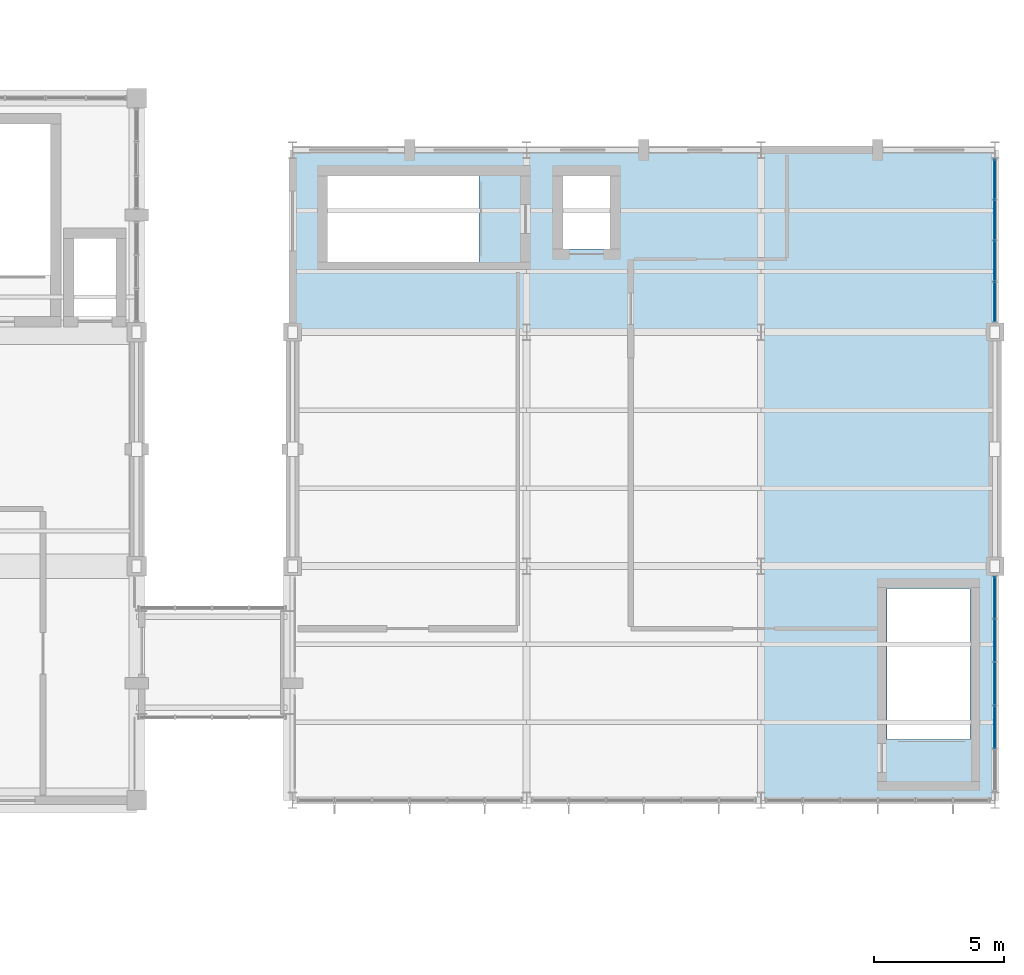
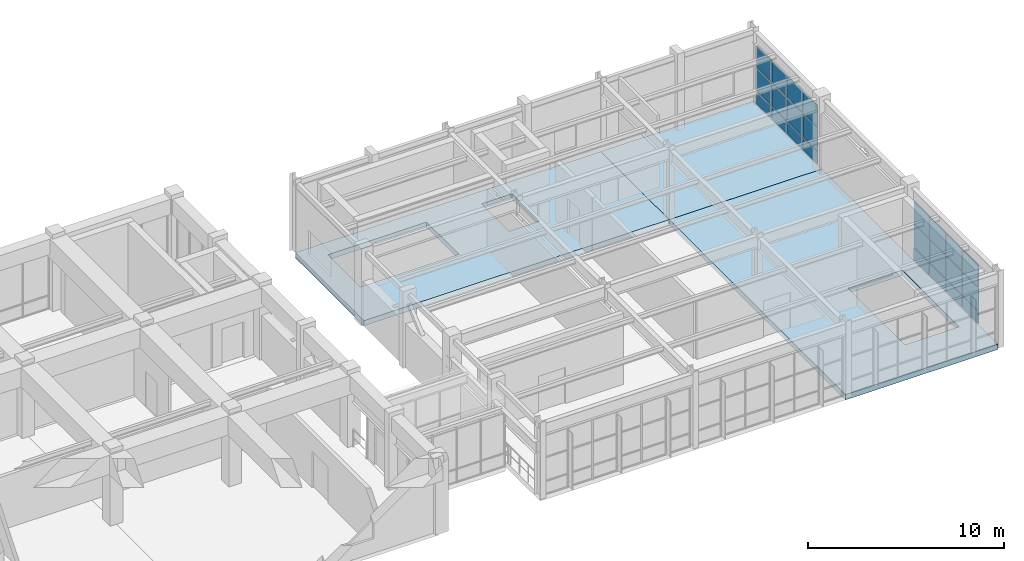
# One storey, part 78 of 99: 24 plates, 3 slabs, 2 elements without a shape of their own.
"""IFC4 building model written with IfcOpenShell, lengths in metres."""

from ifc_helpers import new_model, si_unit, direction, frame, origin, origin_2d, place, context, subcontext, project, spatial, polyline, rectangle, outline, extrude, material, layer, layer_set, type_object, element, aggregate, save


model = new_model("IFC4")

# Units and contexts
model_context = context("Model", 3, precision=1e-05, world=origin(), true_north=direction((0.0, 1.0)))
body_context = subcontext(model_context, "Body", "Model", "MODEL_VIEW")
ifc_project = project(units=[si_unit("LENGTHUNIT", "METRE"), si_unit("AREAUNIT", "SQUARE_METRE"), si_unit("VOLUMEUNIT", "CUBIC_METRE"), si_unit("PLANEANGLEUNIT", "RADIAN"), si_unit("MASSUNIT", "GRAM", prefix="KILO")], contexts=[model_context])

# Site, building, storey
site_placement = place(None, origin())
site = spatial("IfcSite", under=ifc_project, at=site_placement, CompositionType="ELEMENT")
building_placement = place(site_placement, origin())
building = spatial("IfcBuilding", under=site, at=building_placement, Name="Ventoquebrada Cableway Terminal", CompositionType="ELEMENT")
storey_placement = place(building_placement, frame((0.0, 0.0, 9.60009765625)))
storey = spatial("IfcBuildingStorey", under=building, at=storey_placement, Name="L02", CompositionType="ELEMENT", Elevation=9.60009765625)

# Curtain wall, plates
ifc_material_1 = material(Name="Anodized thermally-broken aluminium", Category="aluminium")
ifc_layer_1 = layer(ifc_material_1, 0.159912109375)
ifc_layer_set_1 = layer_set([ifc_layer_1], Name="Anodized thermally-broken aluminium")
curtain_wall_type_1 = type_object("IfcCurtainWallType", Name="CW-T34", PredefinedType="USERDEFINED", material=ifc_layer_set_1)
curtain_wall_1_placement = place(storey_placement, origin())
curtain_wall_1 = element("IfcCurtainWall", 1, at=curtain_wall_1_placement, inside=storey, type_object=curtain_wall_type_1, Name="Unitised glazed curtain wall CW-081", ObjectType="UNITISED CURTAIN WALL", PredefinedType="USERDEFINED")
ifc_material_2 = material(Name="Double low-e laminated safety glazing", Category="glass")
ifc_layer_2 = layer(ifc_material_2, 0.031982421875)
ifc_layer_set_2 = layer_set([ifc_layer_2], Name="Double low-e laminated safety glazing")
plate_type_1 = type_object("IfcPlateType", Name="CWP-GL1", PredefinedType="CURTAIN_PANEL", material=ifc_layer_set_2)
plate_1_placement = place(storey_placement, frame((156.0, 79.81494140625, 0.873779296875), z_axis=(0.0, 0.0, 1.0), x_axis=(0.0, 1.0, 0.0)))
plate_1 = element("IfcPlate", 2, at=plate_1_placement, type_object=plate_type_1, Name="Vision glazing panel PN-0848", PredefinedType="CURTAIN_PANEL", context=body_context, shape_type="SweptSolid", body=[
    extrude(rectangle(XDim=1.616943359375, YDim=0.031982421875, at=origin_2d()), origin(), (0.0, 0.0, 1.0), 1.43408203125),
])
plate_2_placement = place(storey_placement, frame((156.0, 81.48095703125, 2.35693359375), z_axis=(0.0, 0.0, 1.0), x_axis=(0.0, 1.0, 0.0)))
plate_2 = element("IfcPlate", 3, at=plate_2_placement, type_object=plate_type_1, Name="Vision glazing panel PN-0852", PredefinedType="CURTAIN_PANEL", context=body_context, shape_type="SweptSolid", body=[
    extrude(rectangle(XDim=1.616943359375, YDim=0.031982421875, at=origin_2d()), origin(), (0.0, 0.0, 1.0), 1.345947265625),
])
plate_3_placement = place(storey_placement, frame((156.0, 83.14697265625, 0.873779296875), z_axis=(0.0, 0.0, 1.0), x_axis=(0.0, 1.0, 0.0)))
plate_3 = element("IfcPlate", 4, at=plate_3_placement, type_object=plate_type_1, Name="Vision glazing panel PN-0854", PredefinedType="CURTAIN_PANEL", context=body_context, shape_type="SweptSolid", body=[
    extrude(rectangle(XDim=1.616943359375, YDim=0.031982421875, at=origin_2d()), origin(), (0.0, 0.0, 1.0), 1.43408203125),
])
plate_4_placement = place(storey_placement, frame((156.0, 84.7939453125, 2.35693359375), z_axis=(0.0, 0.0, 1.0), x_axis=(0.0, 1.0, 0.0)))
plate_4 = element("IfcPlate", 5, at=plate_4_placement, type_object=plate_type_1, Name="Vision glazing panel PN-0858", PredefinedType="CURTAIN_PANEL", context=body_context, shape_type="SweptSolid", body=[
    extrude(rectangle(XDim=1.58203125, YDim=0.031982421875, at=origin_2d()), origin(), (0.0, 0.0, 1.0), 1.345947265625),
])

ifc_layer_3 = layer(ifc_material_1, 0.159912109375)
ifc_layer_set_3 = layer_set([ifc_layer_3], Name="Anodized thermally-broken aluminium")
curtain_wall_type_2 = type_object("IfcCurtainWallType", Name="CW-T35", PredefinedType="USERDEFINED", material=ifc_layer_set_3)
curtain_wall_2_placement = place(storey_placement, origin())
curtain_wall_2 = element("IfcCurtainWall", 6, at=curtain_wall_2_placement, inside=storey, type_object=curtain_wall_type_2, Name="Unitised glazed curtain wall CW-082", ObjectType="UNITISED CURTAIN WALL", PredefinedType="USERDEFINED")
plate_5_placement = place(storey_placement, frame((156.0, 96.1640625, 2.35693359375), z_axis=(0.0, 0.0, 1.0), x_axis=(0.0, 1.0, 0.0)))
plate_5 = element("IfcPlate", 7, at=plate_5_placement, type_object=plate_type_1, Name="Vision glazing panel PN-0861", PredefinedType="CURTAIN_PANEL", context=body_context, shape_type="SweptSolid", body=[
    extrude(rectangle(XDim=1.498046875, YDim=0.031982421875, at=origin_2d()), origin(), (0.0, 0.0, 1.0), 1.345947265625),
])
plate_6_placement = place(storey_placement, frame((156.0, 97.72802734375, 0.873779296875), z_axis=(0.0, 0.0, 1.0), x_axis=(0.0, 1.0, 0.0)))
plate_6 = element("IfcPlate", 8, at=plate_6_placement, type_object=plate_type_1, Name="Vision glazing panel PN-0863", PredefinedType="CURTAIN_PANEL", context=body_context, shape_type="SweptSolid", body=[
    extrude(rectangle(XDim=1.532958984375, YDim=0.031982421875, at=origin_2d()), origin(), (0.0, 0.0, 1.0), 1.43408203125),
])
plate_7_placement = place(storey_placement, frame((156.0, 99.31005859375, 2.35693359375), z_axis=(0.0, 0.0, 1.0), x_axis=(0.0, 1.0, 0.0)))
plate_7 = element("IfcPlate", 9, at=plate_7_placement, type_object=plate_type_1, Name="Vision glazing panel PN-0867", PredefinedType="CURTAIN_PANEL", context=body_context, shape_type="SweptSolid", body=[
    extrude(rectangle(XDim=1.532958984375, YDim=0.031982421875, at=origin_2d()), origin(), (0.0, 0.0, 1.0), 1.345947265625),
])
plate_8_placement = place(storey_placement, frame((156.0, 100.875, 0.873779296875), z_axis=(0.0, 0.0, 1.0), x_axis=(0.0, 1.0, 0.0)))
plate_8 = element("IfcPlate", 10, at=plate_8_placement, type_object=plate_type_1, Name="Vision glazing panel PN-0869", PredefinedType="CURTAIN_PANEL", context=body_context, shape_type="SweptSolid", body=[
    extrude(rectangle(XDim=1.498046875, YDim=0.031982421875, at=origin_2d()), origin(), (0.0, 0.0, 1.0), 1.43408203125),
])

# Plate
ifc_layer_4 = layer(ifc_material_2, 0.0380859375)
ifc_layer_set_4 = layer_set([ifc_layer_4], Name="Double low-e laminated safety glazing")
plate_type_2 = type_object("IfcPlateType", Name="CWP-GL2", PredefinedType="CURTAIN_PANEL", material=ifc_layer_set_4)
plate_9_placement = place(storey_placement, frame((156.0, 79.81494140625, 2.35693359375), z_axis=(0.0, 0.0, 1.0), x_axis=(0.0, 1.0, 0.0)))
plate_9 = element("IfcPlate", 11, at=plate_9_placement, type_object=plate_type_2, Name="Vision glazing panel PN-0849", PredefinedType="CURTAIN_PANEL", context=body_context, shape_type="SweptSolid", body=[
    extrude(rectangle(XDim=1.616943359375, YDim=0.0380859375, at=origin_2d()), origin(), (0.0, 0.0, 1.0), 1.345947265625),
])

plate_10_placement = place(storey_placement, frame((156.0, 81.48095703125, 0.873779296875), z_axis=(0.0, 0.0, 1.0), x_axis=(0.0, 1.0, 0.0)))
plate_10 = element("IfcPlate", 12, at=plate_10_placement, type_object=plate_type_2, Name="Vision glazing panel PN-0851", PredefinedType="CURTAIN_PANEL", context=body_context, shape_type="SweptSolid", body=[
    extrude(rectangle(XDim=1.616943359375, YDim=0.0380859375, at=origin_2d()), origin(), (0.0, 0.0, 1.0), 1.43408203125),
])

plate_11_placement = place(storey_placement, frame((156.0, 83.14697265625, 2.35693359375), z_axis=(0.0, 0.0, 1.0), x_axis=(0.0, 1.0, 0.0)))
plate_11 = element("IfcPlate", 13, at=plate_11_placement, type_object=plate_type_2, Name="Vision glazing panel PN-0855", PredefinedType="CURTAIN_PANEL", context=body_context, shape_type="SweptSolid", body=[
    extrude(rectangle(XDim=1.616943359375, YDim=0.0380859375, at=origin_2d()), origin(), (0.0, 0.0, 1.0), 1.345947265625),
])

plate_12_placement = place(storey_placement, frame((156.0, 84.7939453125, 0.873779296875), z_axis=(0.0, 0.0, 1.0), x_axis=(0.0, 1.0, 0.0)))
plate_12 = element("IfcPlate", 14, at=plate_12_placement, type_object=plate_type_2, Name="Vision glazing panel PN-0857", PredefinedType="CURTAIN_PANEL", context=body_context, shape_type="SweptSolid", body=[
    extrude(rectangle(XDim=1.58203125, YDim=0.0380859375, at=origin_2d()), origin(), (0.0, 0.0, 1.0), 1.43408203125),
])

plate_13_placement = place(storey_placement, frame((156.0, 96.1640625, 0.873779296875), z_axis=(0.0, 0.0, 1.0), x_axis=(0.0, 1.0, 0.0)))
plate_13 = element("IfcPlate", 15, at=plate_13_placement, type_object=plate_type_2, Name="Vision glazing panel PN-0860", PredefinedType="CURTAIN_PANEL", context=body_context, shape_type="SweptSolid", body=[
    extrude(rectangle(XDim=1.498046875, YDim=0.0380859375, at=origin_2d()), origin(), (0.0, 0.0, 1.0), 1.43408203125),
])

plate_14_placement = place(storey_placement, frame((156.0, 97.72802734375, 2.35693359375), z_axis=(0.0, 0.0, 1.0), x_axis=(0.0, 1.0, 0.0)))
plate_14 = element("IfcPlate", 16, at=plate_14_placement, type_object=plate_type_2, Name="Vision glazing panel PN-0864", PredefinedType="CURTAIN_PANEL", context=body_context, shape_type="SweptSolid", body=[
    extrude(rectangle(XDim=1.532958984375, YDim=0.0380859375, at=origin_2d()), origin(), (0.0, 0.0, 1.0), 1.345947265625),
])

plate_15_placement = place(storey_placement, frame((156.0, 99.31005859375, 0.873779296875), z_axis=(0.0, 0.0, 1.0), x_axis=(0.0, 1.0, 0.0)))
plate_15 = element("IfcPlate", 17, at=plate_15_placement, type_object=plate_type_2, Name="Vision glazing panel PN-0866", PredefinedType="CURTAIN_PANEL", context=body_context, shape_type="SweptSolid", body=[
    extrude(rectangle(XDim=1.532958984375, YDim=0.0380859375, at=origin_2d()), origin(), (0.0, 0.0, 1.0), 1.43408203125),
])

plate_16_placement = place(storey_placement, frame((156.0, 100.875, 2.35693359375), z_axis=(0.0, 0.0, 1.0), x_axis=(0.0, 1.0, 0.0)))
plate_16 = element("IfcPlate", 18, at=plate_16_placement, type_object=plate_type_2, Name="Vision glazing panel PN-0870", PredefinedType="CURTAIN_PANEL", context=body_context, shape_type="SweptSolid", body=[
    extrude(rectangle(XDim=1.498046875, YDim=0.0380859375, at=origin_2d()), origin(), (0.0, 0.0, 1.0), 1.345947265625),
])

ifc_material_3 = material(Name="Insulated aluminium spandrel cassette", Category="aluminium")
ifc_layer_5 = layer(ifc_material_3, 0.044921875)
ifc_layer_set_5 = layer_set([ifc_layer_5], Name="Insulated aluminium spandrel cassette")
plate_type_3 = type_object("IfcPlateType", Name="CWP-SP1", PredefinedType="CURTAIN_PANEL", material=ifc_layer_set_5)
plate_17_placement = place(storey_placement, frame((156.0, 79.81494140625, 0.059814453125), z_axis=(0.0, 0.0, 1.0), x_axis=(0.0, 1.0, 0.0)))
plate_17 = element("IfcPlate", 19, at=plate_17_placement, type_object=plate_type_3, Name="Insulated spandrel panel PN-0847", PredefinedType="CURTAIN_PANEL", context=body_context, shape_type="SweptSolid", body=[
    extrude(rectangle(XDim=1.616943359375, YDim=0.044921875, at=origin_2d()), origin(), (0.0, 0.0, 1.0), 0.76611328125),
])

plate_18_placement = place(storey_placement, frame((156.0, 81.48095703125, 0.059814453125), z_axis=(0.0, 0.0, 1.0), x_axis=(0.0, 1.0, 0.0)))
plate_18 = element("IfcPlate", 20, at=plate_18_placement, type_object=plate_type_3, Name="Insulated spandrel panel PN-0850", PredefinedType="CURTAIN_PANEL", context=body_context, shape_type="SweptSolid", body=[
    extrude(rectangle(XDim=1.616943359375, YDim=0.044921875, at=origin_2d()), origin(), (0.0, 0.0, 1.0), 0.76611328125),
])

plate_19_placement = place(storey_placement, frame((156.0, 83.14697265625, 0.059814453125), z_axis=(0.0, 0.0, 1.0), x_axis=(0.0, 1.0, 0.0)))
plate_19 = element("IfcPlate", 21, at=plate_19_placement, type_object=plate_type_3, Name="Insulated spandrel panel PN-0853", PredefinedType="CURTAIN_PANEL", context=body_context, shape_type="SweptSolid", body=[
    extrude(rectangle(XDim=1.616943359375, YDim=0.044921875, at=origin_2d()), origin(), (0.0, 0.0, 1.0), 0.76611328125),
])

plate_20_placement = place(storey_placement, frame((156.0, 84.7939453125, 0.059814453125), z_axis=(0.0, 0.0, 1.0), x_axis=(0.0, 1.0, 0.0)))
plate_20 = element("IfcPlate", 22, at=plate_20_placement, type_object=plate_type_3, Name="Insulated spandrel panel PN-0856", PredefinedType="CURTAIN_PANEL", context=body_context, shape_type="SweptSolid", body=[
    extrude(rectangle(XDim=1.58203125, YDim=0.044921875, at=origin_2d()), origin(), (0.0, 0.0, 1.0), 0.76611328125),
])

aggregate(curtain_wall_1, [plate_17, plate_1, plate_9, plate_18, plate_10, plate_2, plate_19, plate_3, plate_11, plate_20, plate_12, plate_4])

plate_21_placement = place(storey_placement, frame((156.0, 96.1640625, 0.059814453125), z_axis=(0.0, 0.0, 1.0), x_axis=(0.0, 1.0, 0.0)))
plate_21 = element("IfcPlate", 23, at=plate_21_placement, type_object=plate_type_3, Name="Insulated spandrel panel PN-0859", PredefinedType="CURTAIN_PANEL", context=body_context, shape_type="SweptSolid", body=[
    extrude(rectangle(XDim=1.498046875, YDim=0.044921875, at=origin_2d()), origin(), (0.0, 0.0, 1.0), 0.76611328125),
])

plate_22_placement = place(storey_placement, frame((156.0, 97.72802734375, 0.059814453125), z_axis=(0.0, 0.0, 1.0), x_axis=(0.0, 1.0, 0.0)))
plate_22 = element("IfcPlate", 24, at=plate_22_placement, type_object=plate_type_3, Name="Insulated spandrel panel PN-0862", PredefinedType="CURTAIN_PANEL", context=body_context, shape_type="SweptSolid", body=[
    extrude(rectangle(XDim=1.532958984375, YDim=0.044921875, at=origin_2d()), origin(), (0.0, 0.0, 1.0), 0.76611328125),
])

plate_23_placement = place(storey_placement, frame((156.0, 99.31005859375, 0.059814453125), z_axis=(0.0, 0.0, 1.0), x_axis=(0.0, 1.0, 0.0)))
plate_23 = element("IfcPlate", 25, at=plate_23_placement, type_object=plate_type_3, Name="Insulated spandrel panel PN-0865", PredefinedType="CURTAIN_PANEL", context=body_context, shape_type="SweptSolid", body=[
    extrude(rectangle(XDim=1.532958984375, YDim=0.044921875, at=origin_2d()), origin(), (0.0, 0.0, 1.0), 0.76611328125),
])

plate_24_placement = place(storey_placement, frame((156.0, 100.875, 0.059814453125), z_axis=(0.0, 0.0, 1.0), x_axis=(0.0, 1.0, 0.0)))
plate_24 = element("IfcPlate", 26, at=plate_24_placement, type_object=plate_type_3, Name="Insulated spandrel panel PN-0868", PredefinedType="CURTAIN_PANEL", context=body_context, shape_type="SweptSolid", body=[
    extrude(rectangle(XDim=1.498046875, YDim=0.044921875, at=origin_2d()), origin(), (0.0, 0.0, 1.0), 0.76611328125),
])

aggregate(curtain_wall_2, [plate_21, plate_13, plate_5, plate_22, plate_6, plate_14, plate_23, plate_15, plate_7, plate_24, plate_8, plate_16])

# Slabs
ifc_material_4 = material(Name="Concrete C40/50", Category="concrete")
ifc_layer_6 = layer(ifc_material_4, 0.324951171875)
ifc_layer_set_6 = layer_set([ifc_layer_6], Name="Concrete C40/50")
slab_type = type_object("IfcSlabType", Name="SL-DK1", PredefinedType="FLOOR", material=ifc_layer_set_6)
slab_1_placement = place(storey_placement, frame((0.0, 0.0, -0.3251953125)))
element("IfcSlab", 27, at=slab_1_placement, inside=storey, type_object=slab_type, Name="Reinforced concrete floor slab SL-060", PredefinedType="FLOOR", context=body_context, shape_type="SweptSolid", body=[
    extrude(outline(polyline([(129.0, 95.0), (147.0, 95.0), (147.0, 102.0), (129.0, 102.0), (129.0, 95.0)]), holes=[polyline([(136.159912109375, 101.0), (136.159912109375, 97.699951171875), (130.35009765625, 97.699951171875), (130.35009765625, 101.0), (136.159912109375, 101.0)]), polyline([(141.199951171875, 98.199951171875), (139.39990234375, 98.199951171875), (139.39990234375, 101.0), (141.199951171875, 101.0), (141.199951171875, 98.199951171875)])]), origin(), (0.0, 0.0, 1.0), 0.3251953125),
])
slab_2_placement = place(storey_placement, frame((0.0, 0.0, -0.3251953125)))
element("IfcSlab", 28, at=slab_2_placement, inside=storey, type_object=slab_type, Name="Reinforced concrete floor slab SL-061", PredefinedType="FLOOR", context=body_context, shape_type="SweptSolid", body=[
    extrude(outline(polyline([(156.0, 77.0), (156.0, 95.0), (147.0, 95.0), (147.0, 77.0), (156.0, 77.0)]), holes=[polyline([(155.050048828125, 79.340087890625), (151.85009765625, 79.340087890625), (151.85009765625, 85.14990234375), (155.050048828125, 85.14990234375), (155.050048828125, 79.340087890625)])]), origin(), (0.0, 0.0, 1.0), 0.3251953125),
])
slab_3_placement = place(storey_placement, frame((0.0, 0.0, -0.3251953125)))
element("IfcSlab", 29, at=slab_3_placement, inside=storey, type_object=slab_type, Name="Reinforced concrete floor slab SL-062", PredefinedType="FLOOR", context=body_context, shape_type="SweptSolid", body=[
    extrude(outline(polyline([(156.0, 95.0), (156.0, 102.0), (147.0, 102.0), (147.0, 95.0), (156.0, 95.0)])), origin(), (0.0, 0.0, 1.0), 0.3251953125),
])

save(model, "model.ifc")
